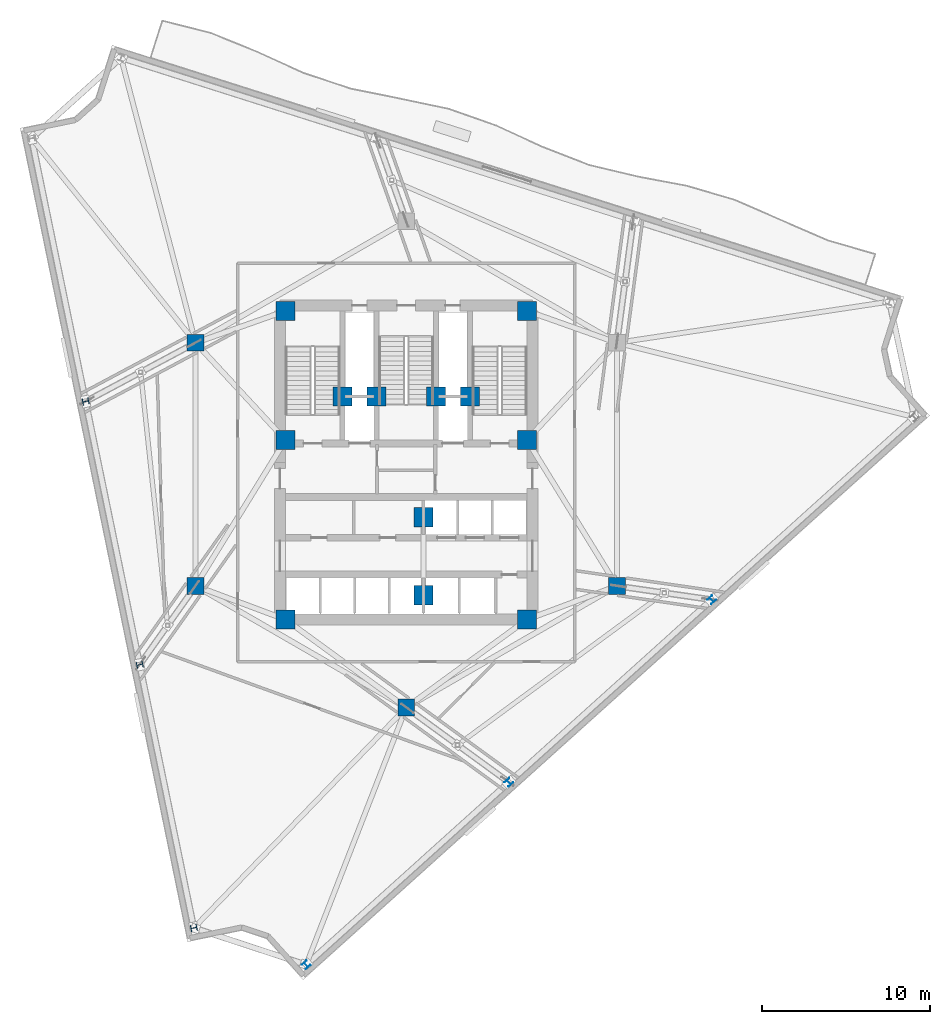
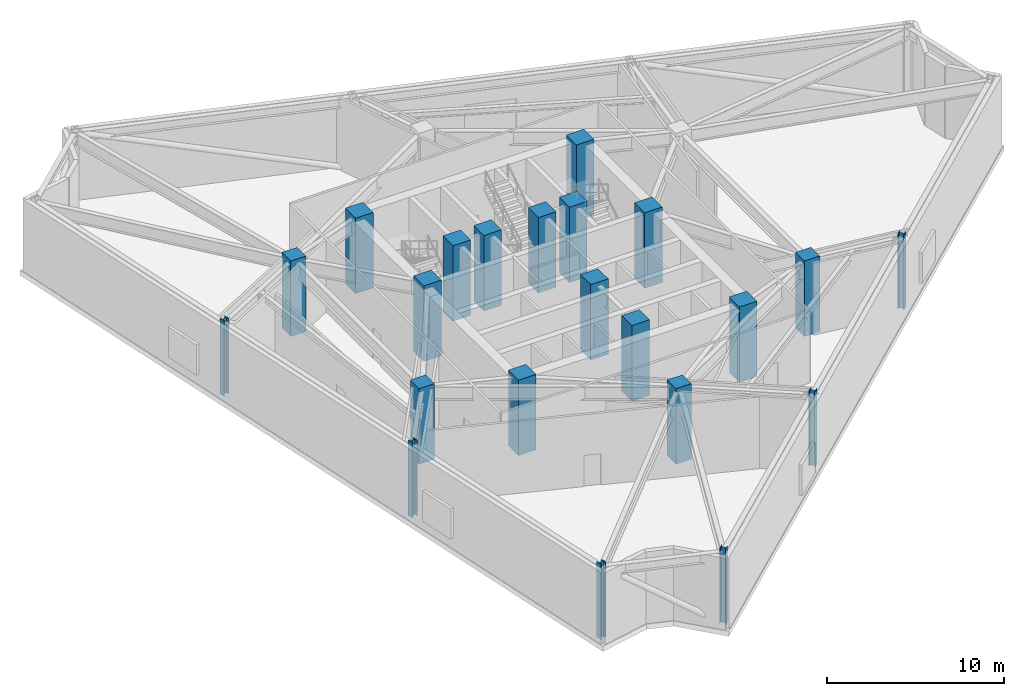
# One storey, part 1 of 16: 22 columns.
"""IFC4 building model written with IfcOpenShell, lengths in metres."""

from ifc_helpers import new_model, si_unit, direction, frame, origin, origin_2d, place, context, subcontext, project, spatial, rectangle, i_section, extrude, material, material_profile, profile_set, type_object, element, save


model = new_model("IFC4")

# Units and contexts
model_context = context("Model", 3, precision=1e-05, world=origin(), true_north=direction((0.0, 1.0)))
body_context = subcontext(model_context, "Body", "Model", "MODEL_VIEW")
ifc_project = project(units=[si_unit("LENGTHUNIT", "METRE"), si_unit("AREAUNIT", "SQUARE_METRE"), si_unit("VOLUMEUNIT", "CUBIC_METRE"), si_unit("PLANEANGLEUNIT", "RADIAN"), si_unit("MASSUNIT", "GRAM", prefix="KILO")], contexts=[model_context])

# Site, building, storey
site_placement = place(None, origin())
site = spatial("IfcSite", under=ifc_project, at=site_placement, CompositionType="ELEMENT")
building_placement = place(site_placement, origin())
building = spatial("IfcBuilding", under=site, at=building_placement, Name="Apsidion Concourse Tower", CompositionType="ELEMENT")
storey_placement = place(building_placement, frame((0.0, 0.0, 227.0)))
storey = spatial("IfcBuildingStorey", under=building, at=storey_placement, Name="L53", CompositionType="ELEMENT", Elevation=227.0)

# Columns
ifc_material_1 = material(Name="Concrete C50/60", Category="concrete")
ifc_material_profile_1 = material_profile(ifc_material_1, rectangle(XDim=1.0, YDim=1.0, at=origin_2d()), Name="RC 1000x1000")
ifc_profile_set_1 = profile_set([ifc_material_profile_1], Name="Concrete C50/60")
column_type_1 = type_object("IfcColumnType", Name="COL-RC-1000", PredefinedType="COLUMN", material=ifc_profile_set_1)
for number, where, z_axis, x_axis, name in (
    (1, (-12.56005859375, -7.25, 0.0), (0.0, 0.0, 1.0), (1.0, 0.0, 0.0), "L53 Interior Spine Column IC1"),
    (2, (12.56005859375, -7.25, 0.0), (0.0, 0.0, 1.0), (1.0, 0.0, 0.0), "L53 Interior Spine Column IC2"),
    (3, (-12.56005859375, 7.25, 0.0), (0.0, 0.0, 1.0), (1.0, 0.0, 0.0), "L53 Interior Spine Column IC5"),
    (4, (0.0, -14.5, 0.0), (0.0, 0.0, 1.0), (1.0, 0.0, 0.0), "L53 Interior Spine Column IC6"),
):
    element("IfcColumn", number, at=place(storey_placement, frame(where, z_axis=z_axis, x_axis=x_axis)), inside=storey, type_object=column_type_1, Name=name, PredefinedType="COLUMN", context=body_context, shape_type="SweptSolid", body=[
        extrude(rectangle(XDim=1.0, YDim=1.0, at=origin_2d()), origin(), (0.0, 0.0, 1.0), 5.199951171875),
    ])
ifc_material_profile_2 = material_profile(ifc_material_1, rectangle(XDim=1.14990234375, YDim=1.14990234375, at=origin_2d()), Name="RC 1150x1150")
ifc_profile_set_2 = profile_set([ifc_material_profile_2], Name="Concrete C50/60")
column_type_2 = type_object("IfcColumnType", Name="COL-RC-1150", PredefinedType="COLUMN", material=ifc_profile_set_2)
for number, where, z_axis, x_axis, name in (
    (5, (-7.199951171875, -9.25, 0.0), (0.0, 0.0, 1.0), (1.0, 0.0, 0.0), "L53 Core Super-Column SC1"),
    (6, (7.199951171875, -9.25, 0.0), (0.0, 0.0, 1.0), (1.0, 0.0, 0.0), "L53 Core Super-Column SC2"),
    (7, (7.199951171875, 1.449951171875, 0.0), (0.0, 0.0, 1.0), (1.0, 0.0, 0.0), "L53 Core Super-Column SC3"),
    (8, (7.199951171875, 9.14990234375, 0.0), (0.0, 0.0, 1.0), (1.0, 0.0, 0.0), "L53 Core Super-Column SC4"),
    (9, (-7.199951171875, 9.14990234375, 0.0), (0.0, 0.0, 1.0), (1.0, 0.0, 0.0), "L53 Core Super-Column SC5"),
    (10, (-7.199951171875, 1.449951171875, 0.0), (0.0, 0.0, 1.0), (1.0, 0.0, 0.0), "L53 Core Super-Column SC6"),
    (11, (-3.800048828125, 4.050048828125, 0.0), (0.0, 0.0, 1.0), (1.0, 0.0, 0.0), "L53 Core Super-Column CC1"),
    (12, (3.800048828125, 4.050048828125, 0.0), (0.0, 0.0, 1.0), (1.0, 0.0, 0.0), "L53 Core Super-Column CC2"),
    (13, (-1.77490234375, 4.050048828125, 0.0), (0.0, 0.0, 1.0), (1.0, 0.0, 0.0), "L53 Core Super-Column CC3"),
    (14, (1.77490234375, 4.050048828125, 0.0), (0.0, 0.0, 1.0), (1.0, 0.0, 0.0), "L53 Core Super-Column CC4"),
    (15, (1.02490234375, -3.14990234375, 0.0), (0.0, 0.0, 1.0), (1.0, 0.0, 0.0), "L53 Core Super-Column CC5"),
    (16, (1.02490234375, -7.800048828125, 0.0), (0.0, 0.0, 1.0), (1.0, 0.0, 0.0), "L53 Core Super-Column CC6"),
):
    element("IfcColumn", number, at=place(storey_placement, frame(where, z_axis=z_axis, x_axis=x_axis)), inside=storey, type_object=column_type_2, Name=name, PredefinedType="COLUMN", context=body_context, shape_type="SweptSolid", body=[
        extrude(rectangle(XDim=1.14990234375, YDim=1.14990234375, at=origin_2d()), origin(), (0.0, 0.0, 1.0), 5.199951171875),
    ])
ifc_material_2 = material(Name="Structural steel ASTM A992 Grade 50", Category="steel")
ifc_material_profile_3 = material_profile(ifc_material_2, i_section(OverallWidth=0.373046875, OverallDepth=0.373046875, WebThickness=0.016357421875, FlangeThickness=0.026123046875, at=origin_2d()), Name="W14X132")
ifc_profile_set_3 = profile_set([ifc_material_profile_3], Name="Structural steel ASTM A992 Grade 50")
column_type_3 = type_object("IfcColumnType", Name="COL-W14-132", PredefinedType="COLUMN", material=ifc_profile_set_3)
for number, where, z_axis, x_axis, name in (
    (17, (-19.11279296875, 3.75146484375, 0.0), (0.0, 0.0, 1.0), (-0.201248886216, 0.979540139962, 0.0), "L53 Rotated Perimeter Column PC02"),
    (18, (-15.888671875, -11.94384765625, 0.0), (0.0, 0.0, 1.0), (-0.201248886216, 0.979540139962, 0.0), "L53 Rotated Perimeter Column PC03"),
    (19, (-12.664306640625, -27.63916015625, 0.0), (0.0, 0.0, 1.0), (-0.201248886216, 0.979540139962, 0.0), "L53 Rotated Perimeter Column PC04"),
    (20, (-5.967529296875, -29.840087890625, 0.0), (0.0, 0.0, 1.0), (0.743144825477, 0.669130606359, 0.0), "L53 Rotated Perimeter Column PC05"),
    (21, (6.121826171875, -18.954833984375, 0.0), (0.0, 0.0, 1.0), (0.743144825477, 0.669130606359, 0.0), "L53 Rotated Perimeter Column PC06"),
    (22, (18.211181640625, -8.069580078125, 0.0), (0.0, 0.0, 1.0), (0.743144825477, 0.669130606359, 0.0), "L53 Rotated Perimeter Column PC07"),
):
    element("IfcColumn", number, at=place(storey_placement, frame(where, z_axis=z_axis, x_axis=x_axis)), inside=storey, type_object=column_type_3, Name=name, PredefinedType="COLUMN", context=body_context, shape_type="SweptSolid", body=[
        extrude(i_section(OverallWidth=0.373046875, OverallDepth=0.373046875, WebThickness=0.016357421875, FlangeThickness=0.026123046875, at=origin_2d()), origin(), (0.0, 0.0, 1.0), 5.199951171875),
    ])

save(model, "model.ifc")
